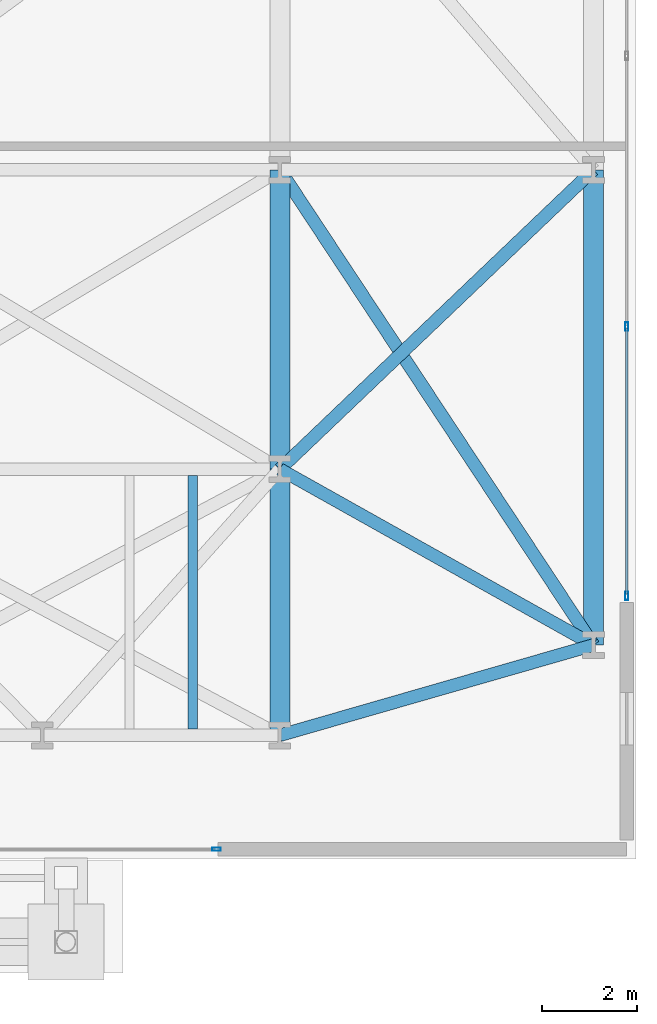
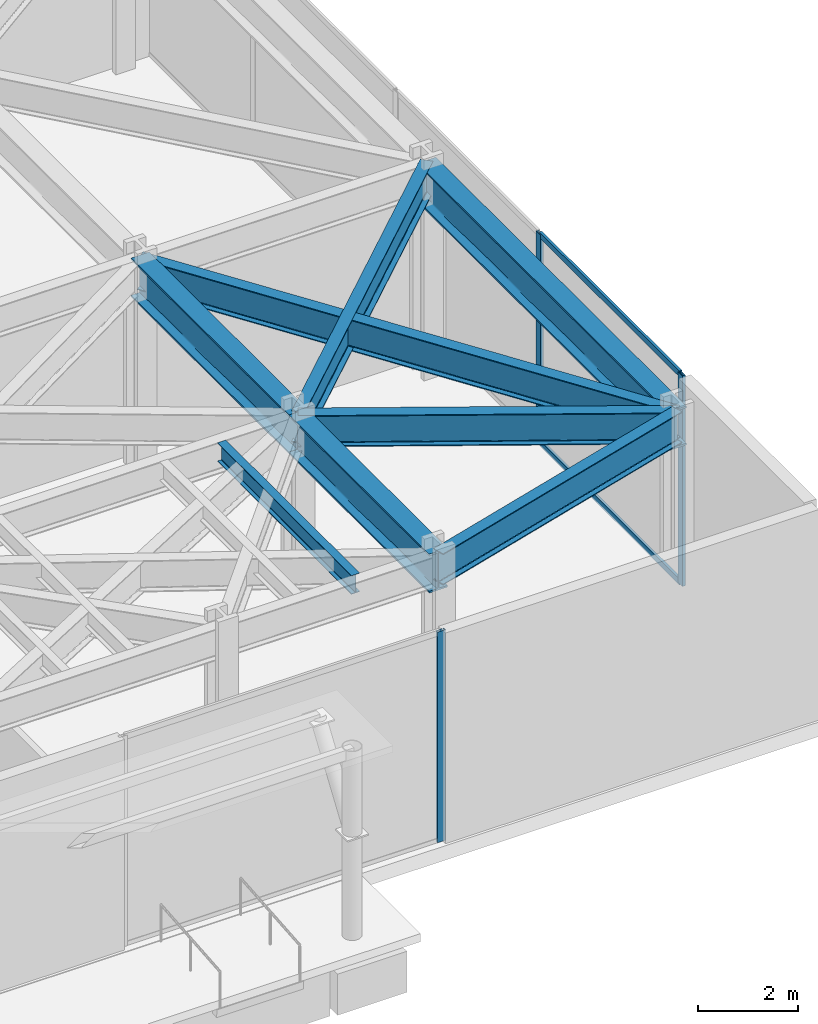
# One storey, part 20 of 31: 8 beams, 5 members, 2 elements without a shape of their own.
"""IFC4 building model written with IfcOpenShell, lengths in metres."""

from ifc_helpers import new_model, si_unit, direction, frame, origin, origin_2d, place, context, subcontext, project, spatial, hollow_rectangle, i_section, extrude, material, layer, layer_set, material_profile, profile_set, type_object, element, aggregate, save


model = new_model("IFC4")

# Units and contexts
model_context = context("Model", 3, precision=1e-05, world=origin(), true_north=direction((0.0, 1.0)))
body_context = subcontext(model_context, "Body", "Model", "MODEL_VIEW")
ifc_project = project(units=[si_unit("LENGTHUNIT", "METRE"), si_unit("AREAUNIT", "SQUARE_METRE"), si_unit("VOLUMEUNIT", "CUBIC_METRE"), si_unit("PLANEANGLEUNIT", "RADIAN"), si_unit("MASSUNIT", "GRAM", prefix="KILO")], contexts=[model_context])

# Site, building, storey
site_placement = place(None, origin())
site = spatial("IfcSite", under=ifc_project, at=site_placement, CompositionType="ELEMENT")
building_placement = place(site_placement, origin())
building = spatial("IfcBuilding", under=site, at=building_placement, Name="Kravanh Interchange Tower", CompositionType="ELEMENT")
storey_placement = place(building_placement, origin())
storey = spatial("IfcBuildingStorey", under=building, at=storey_placement, Name="L00", CompositionType="ELEMENT", Elevation=0.0)

# Curtain wall, member
ifc_material_1 = material(Name="Anodised Bronze Aluminium", Category="aluminium")
ifc_layer = layer(ifc_material_1, 0.179931640625)
ifc_layer_set = layer_set([ifc_layer], Name="Unitised Curtain Wall System CW-POD Podium Concourse")
curtain_wall_type = type_object("IfcCurtainWallType", Name="Unitised Curtain Wall System CW-POD Podium Concourse", PredefinedType="NOTDEFINED", material=ifc_layer_set)
curtain_wall_1_placement = place(storey_placement, origin())
curtain_wall_1 = element("IfcCurtainWall", 1, at=curtain_wall_1_placement, inside=storey, type_object=curtain_wall_type, Name="L00 Unitised Curtain Wall CW-L00-03", PredefinedType="NOTDEFINED")
ifc_material_2 = material(Name="Anodised Bronze Aluminium", Category="aluminium")
ifc_material_profile_1 = material_profile(ifc_material_2, hollow_rectangle(XDim=0.070068359375, YDim=0.179931640625, WallThickness=0.00390625, at=origin_2d()), Name="ALU70X180X4")
ifc_profile_set_1 = profile_set([ifc_material_profile_1], Name="Anodised Bronze Aluminium")
member_type_1 = type_object("IfcMemberType", Name="Curtain Wall Mullion ALU70X180X4 Bronze", PredefinedType="MULLION", material=ifc_profile_set_1)
member_1_placement = place(storey_placement, frame((65.1650390625, 0.199951171875, 0.0), z_axis=(0.0, 0.0, 1.0), x_axis=(0.0, 1.0, 0.0)))
member_1 = element("IfcMember", 2, at=member_1_placement, type_object=member_type_1, Name="CW-POD mullion 2", PredefinedType="MULLION", context=body_context, shape_type="SweptSolid", body=[
    extrude(hollow_rectangle(XDim=0.070068359375, YDim=0.179931640625, WallThickness=0.00390625, at=origin_2d()), origin(), (0.0, 0.0, 1.0), 5.1298828125),
])
aggregate(curtain_wall_1, [member_1])

# Curtain wall, members
curtain_wall_2_placement = place(storey_placement, origin())
curtain_wall_2 = element("IfcCurtainWall", 3, at=curtain_wall_2_placement, inside=storey, type_object=curtain_wall_type, Name="L00 Unitised Curtain Wall CW-L00-04", PredefinedType="NOTDEFINED")
member_2_placement = place(storey_placement, frame((73.800048828125, 5.534912109375, 0.0), z_axis=(0.0, 0.0, 1.0), x_axis=(-1.0, 0.0, 0.0)))
member_2 = element("IfcMember", 4, at=member_2_placement, type_object=member_type_1, Name="CW-POD mullion 1", PredefinedType="MULLION", context=body_context, shape_type="SweptSolid", body=[
    extrude(hollow_rectangle(XDim=0.070068359375, YDim=0.179931640625, WallThickness=0.00390625, at=origin_2d()), origin(), (0.0, 0.0, 1.0), 5.1298828125),
])
member_3_placement = place(storey_placement, frame((73.800048828125, 11.199951171875, 0.0), z_axis=(0.0, 0.0, 1.0), x_axis=(-1.0, 0.0, 0.0)))
member_3 = element("IfcMember", 5, at=member_3_placement, type_object=member_type_1, Name="CW-POD mullion 2", PredefinedType="MULLION", context=body_context, shape_type="SweptSolid", body=[
    extrude(hollow_rectangle(XDim=0.070068359375, YDim=0.179931640625, WallThickness=0.00390625, at=origin_2d()), origin(), (0.0, 0.0, 1.0), 5.1298828125),
])
ifc_material_3 = material(Name="Anodised Bronze Aluminium", Category="aluminium")
ifc_material_profile_2 = material_profile(ifc_material_3, hollow_rectangle(XDim=0.06005859375, YDim=0.139892578125, WallThickness=0.00390625, at=origin_2d()), Name="ALU60X140X4")
ifc_profile_set_2 = profile_set([ifc_material_profile_2], Name="Anodised Bronze Aluminium")
member_type_2 = type_object("IfcMemberType", Name="Curtain Wall Transom ALU60X140X4 Bronze", PredefinedType="USERDEFINED", material=ifc_profile_set_2)
member_4_placement = place(storey_placement, frame((73.800048828125, 5.570068359375, 0.030029296875), z_axis=(0.0, 1.0, 0.0), x_axis=(-1.0, 0.0, 0.0)))
member_4 = element("IfcMember", 6, at=member_4_placement, type_object=member_type_2, Name="CW-POD transom 1.1", ObjectType="TRANSOM", PredefinedType="USERDEFINED", context=body_context, shape_type="SweptSolid", body=[
    extrude(hollow_rectangle(XDim=0.06005859375, YDim=0.139892578125, WallThickness=0.00390625, at=origin_2d()), origin(), (0.0, 0.0, 1.0), 5.594970703125),
])
member_5_placement = place(storey_placement, frame((73.800048828125, 5.570068359375, 5.10009765625), z_axis=(0.0, 1.0, 0.0), x_axis=(-1.0, 0.0, 0.0)))
member_5 = element("IfcMember", 7, at=member_5_placement, type_object=member_type_2, Name="CW-POD transom 1.2", ObjectType="TRANSOM", PredefinedType="USERDEFINED", context=body_context, shape_type="SweptSolid", body=[
    extrude(hollow_rectangle(XDim=0.06005859375, YDim=0.139892578125, WallThickness=0.00390625, at=origin_2d()), origin(), (0.0, 0.0, 1.0), 5.594970703125),
])
aggregate(curtain_wall_2, [member_2, member_3, member_4, member_5])

# Beams
ifc_material_4 = material(Name="Structural Steel S450", Category="steel")
ifc_material_profile_3 = material_profile(ifc_material_4, i_section(OverallWidth=0.423095703125, OverallDepth=0.947998046875, WebThickness=0.02392578125, FlangeThickness=0.042724609375, FilletRadius=0.028076171875, at=origin_2d()), Name="W36X302")
ifc_profile_set_3 = profile_set([ifc_material_profile_3], Name="Structural Steel S450")
beam_type_1 = type_object("IfcBeamType", Name="Floor Beam W36X302 Structural Steel S450", PredefinedType="BEAM", material=ifc_profile_set_3)
beam_1_placement = place(storey_placement, frame((66.5, 2.60009765625, 4.656005859375), z_axis=(0.0, 1.0, 0.0), x_axis=(-1.0, 0.0, 0.0)))
element("IfcBeam", 8, at=beam_1_placement, inside=storey, type_object=beam_type_1, Name="L00 Primary Floor Girder 20", PredefinedType="BEAM", context=body_context, shape_type="SweptSolid", body=[
    extrude(i_section(OverallWidth=0.423095703125, OverallDepth=0.947998046875, WebThickness=0.02392578125, FlangeThickness=0.042724609375, FilletRadius=0.028076171875, at=origin_2d()), origin(), (0.0, 0.0, 1.0), 5.599853515625),
])
beam_2_placement = place(storey_placement, frame((66.5, 8.199951171875, 4.656005859375), z_axis=(0.0, 1.0, 0.0), x_axis=(-1.0, 0.0, 0.0)))
element("IfcBeam", 9, at=beam_2_placement, inside=storey, type_object=beam_type_1, Name="L00 Primary Floor Girder 33", PredefinedType="BEAM", context=body_context, shape_type="SweptSolid", body=[
    extrude(i_section(OverallWidth=0.423095703125, OverallDepth=0.947998046875, WebThickness=0.02392578125, FlangeThickness=0.042724609375, FilletRadius=0.028076171875, at=origin_2d()), origin(), (0.0, 0.0, 1.0), 6.300048828125),
])
beam_3_placement = place(storey_placement, frame((73.10009765625, 4.5, 4.656005859375), z_axis=(0.0, 1.0, 0.0), x_axis=(-1.0, 0.0, 0.0)))
element("IfcBeam", 10, at=beam_3_placement, inside=storey, type_object=beam_type_1, Name="L00 Primary Floor Girder 127", PredefinedType="BEAM", context=body_context, shape_type="SweptSolid", body=[
    extrude(i_section(OverallWidth=0.423095703125, OverallDepth=0.947998046875, WebThickness=0.02392578125, FlangeThickness=0.042724609375, FilletRadius=0.028076171875, at=origin_2d()), origin(), (0.0, 0.0, 1.0), 10.0),
])
ifc_material_5 = material(Name="Structural Steel S355", Category="steel")
ifc_material_profile_4 = material_profile(ifc_material_5, i_section(OverallWidth=0.18994140625, OverallDepth=0.45703125, WebThickness=0.009033203125, FlangeThickness=0.014404296875, FilletRadius=0.01806640625, at=origin_2d()), Name="W18X50")
ifc_profile_set_4 = profile_set([ifc_material_profile_4], Name="Structural Steel S355")
beam_type_2 = type_object("IfcBeamType", Name="Floor Joist W18X50 Structural Steel S355", PredefinedType="JOIST", material=ifc_profile_set_4)
beam_4_placement = place(storey_placement, frame((64.666015625, 2.728515625, 4.901611328125), z_axis=(0.0, 1.0, 0.0), x_axis=(-1.0, 0.0, 0.0)))
element("IfcBeam", 11, at=beam_4_placement, inside=storey, type_object=beam_type_2, Name="L00 Secondary Floor Joist 12", PredefinedType="JOIST", context=body_context, shape_type="SweptSolid", body=[
    extrude(i_section(OverallWidth=0.18994140625, OverallDepth=0.45703125, WebThickness=0.009033203125, FlangeThickness=0.014404296875, FilletRadius=0.01806640625, at=origin_2d()), origin(), (0.0, 0.0, 1.0), 5.343017578125),
])
ifc_material_6 = material(Name="Structural Steel S355", Category="steel")
ifc_material_profile_5 = material_profile(ifc_material_6, i_section(OverallWidth=0.26708984375, OverallDepth=0.761962890625, WebThickness=0.014404296875, FlangeThickness=0.021484375, FilletRadius=0.02490234375, at=origin_2d()), Name="W30X116")
ifc_profile_set_5 = profile_set([ifc_material_profile_5], Name="Structural Steel S355")
beam_type_3 = type_object("IfcBeamType", Name="Floor Spandrel W30X116 Structural Steel S355", PredefinedType="SPANDREL", material=ifc_profile_set_5)
beam_5_placement = place(storey_placement, frame((66.5, 2.60009765625, 4.7490234375), z_axis=(0.960977451506, 0.27662671183, 0.0), x_axis=(-0.27662671183, 0.960977451506, 0.0)))
element("IfcBeam", 12, at=beam_5_placement, inside=storey, type_object=beam_type_3, Name="L00 Perimeter Spandrel 21", PredefinedType="SPANDREL", context=body_context, shape_type="SweptSolid", body=[
    extrude(i_section(OverallWidth=0.26708984375, OverallDepth=0.761962890625, WebThickness=0.014404296875, FlangeThickness=0.021484375, FilletRadius=0.02490234375, at=origin_2d()), origin(), (0.0, 0.0, 1.0), 6.8681640625),
])
beam_6_placement = place(storey_placement, frame((66.5, 8.199951171875, 4.7490234375), z_axis=(0.872286391466, -0.488995348918, 0.0), x_axis=(0.488995348918, 0.872286391466, 0.0)))
element("IfcBeam", 13, at=beam_6_placement, inside=storey, type_object=beam_type_3, Name="L00 Perimeter Spandrel 34", PredefinedType="SPANDREL", context=body_context, shape_type="SweptSolid", body=[
    extrude(i_section(OverallWidth=0.26708984375, OverallDepth=0.761962890625, WebThickness=0.014404296875, FlangeThickness=0.021484375, FilletRadius=0.02490234375, at=origin_2d()), origin(), (0.0, 0.0, 1.0), 7.56640625),
])
beam_7_placement = place(storey_placement, frame((66.5, 8.199951171875, 4.7490234375), z_axis=(0.723357973995, 0.690473201115, 0.0), x_axis=(-0.690473201115, 0.723357973995, 0.0)))
element("IfcBeam", 14, at=beam_7_placement, inside=storey, type_object=beam_type_3, Name="L00 Perimeter Spandrel 35", PredefinedType="SPANDREL", context=body_context, shape_type="SweptSolid", body=[
    extrude(i_section(OverallWidth=0.26708984375, OverallDepth=0.761962890625, WebThickness=0.014404296875, FlangeThickness=0.021484375, FilletRadius=0.02490234375, at=origin_2d()), origin(), (0.0, 0.0, 1.0), 9.124267578125),
])
beam_8_placement = place(storey_placement, frame((66.5, 14.5, 4.7490234375), z_axis=(0.550847885697, -0.834605659472, 0.0), x_axis=(0.834605659472, 0.550847885697, 0.0)))
element("IfcBeam", 15, at=beam_8_placement, inside=storey, type_object=beam_type_3, Name="L00 Perimeter Spandrel 55", PredefinedType="SPANDREL", context=body_context, shape_type="SweptSolid", body=[
    extrude(i_section(OverallWidth=0.26708984375, OverallDepth=0.761962890625, WebThickness=0.014404296875, FlangeThickness=0.021484375, FilletRadius=0.02490234375, at=origin_2d()), origin(), (0.0, 0.0, 1.0), 11.981689453125),
])

save(model, "model.ifc")
